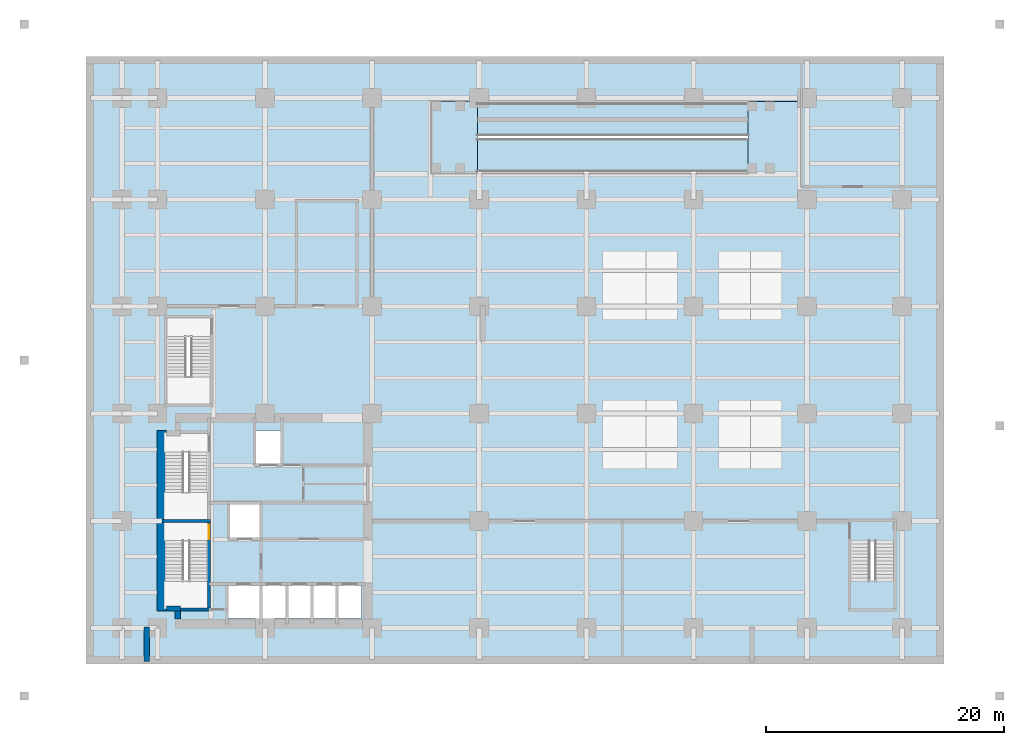
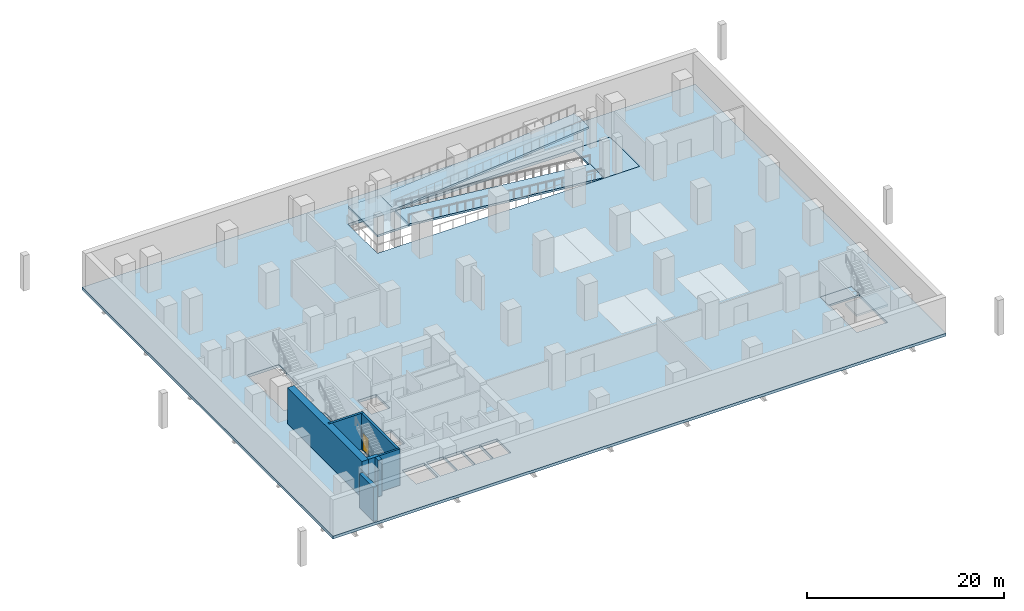
# One storey, part 4 of 10: 7 slabs, 7 walls, 1 door, 1 opening, 1 element without a shape of its own.
"""IFC4 building model written with IfcOpenShell, lengths in metres."""

from ifc_helpers import new_model, si_unit, direction, frame, frame_2d, origin, place, context, subcontext, project, spatial, polyline, rectangle, outline, extrude, material, layer, layer_set, type_object, element, fill, aggregate, save


model = new_model("IFC4")

# Units and contexts
model_context = context("Model", 3, precision=1e-05, world=origin(), true_north=direction((0.0, 1.0)))
body_context = subcontext(model_context, "Body", "Model", "MODEL_VIEW")
ifc_project = project(units=[si_unit("LENGTHUNIT", "METRE"), si_unit("AREAUNIT", "SQUARE_METRE"), si_unit("VOLUMEUNIT", "CUBIC_METRE"), si_unit("PLANEANGLEUNIT", "RADIAN"), si_unit("MASSUNIT", "GRAM", prefix="KILO")], contexts=[model_context])

# Site, building, storey
site_placement = place(None, origin())
site = spatial("IfcSite", under=ifc_project, at=site_placement, CompositionType="ELEMENT")
building_placement = place(site_placement, origin())
building = spatial("IfcBuilding", under=site, at=building_placement, Name="Mawjdan Bourse Tower", CompositionType="ELEMENT")
storey_placement = place(building_placement, frame((0.0, 0.0, -4.5)))
storey = spatial("IfcBuildingStorey", under=building, at=storey_placement, Name="B01", CompositionType="ELEMENT", Elevation=-4.5)

# Slabs
ifc_material_1 = material(Name="Reinforced Concrete C50/60", Category="concrete")
ifc_layer_1 = layer(ifc_material_1, 0.25)
ifc_layer_set_1 = layer_set([ifc_layer_1], Name="Reinforced Concrete C50/60")
slab_type_1 = type_object("IfcSlabType", Name="SL-BSM-250", PredefinedType="FLOOR", material=ifc_layer_set_1)
slab_1_placement = place(storey_placement, frame((55.64990234375, 41.300048828125, 0.0), z_axis=(0.097782840335, 0.0, 0.99520777536), x_axis=(-0.99520777536, 0.0, 0.097782840335)))
element("IfcSlab", 1, at=slab_1_placement, inside=storey, type_object=slab_type_1, Name="B01 Vehicle Ramp Flight 1", PredefinedType="FLOOR", context=body_context, shape_type="SweptSolid", body=[
    extrude(outline(polyline([(0.0, 0.0), (23.01017225822716, 0.0), (23.01017225822716, -2.8000488281250004), (0.0, -2.8000488281250004), (0.0, 0.0)])), origin(), (0.0, 0.0, -1.0), 0.25),
])
slab_2_placement = place(storey_placement, frame((32.75, 44.300048828125, 2.25), z_axis=(-0.097782840335, 0.0, 0.99520777536), x_axis=(0.99520777536, 0.0, 0.097782840335)))
element("IfcSlab", 2, at=slab_2_placement, inside=storey, type_object=slab_type_1, Name="B01 Vehicle Ramp Flight 2", PredefinedType="FLOOR", context=body_context, shape_type="SweptSolid", body=[
    extrude(outline(polyline([(0.0, 0.0), (23.01017225822716, 0.0), (23.01017225822716, 2.8000488281250004), (0.0, 2.8000488281250004), (0.0, 0.0)])), origin(), (0.0, 0.0, -1.0), 0.25),
])
ifc_material_2 = material(Name="Concrete C50/60", Category="concrete")
ifc_layer_2 = layer(ifc_material_2, 0.35009765625)
ifc_layer_set_2 = layer_set([ifc_layer_2], Name="Concrete C50/60")
slab_type_2 = type_object("IfcSlabType", Name="SL-BSM-350", PredefinedType="FLOOR", material=ifc_layer_set_2)
slab_3_placement = place(storey_placement, frame((0.0, 0.0, -0.35009765625)))
element("IfcSlab", 3, at=slab_3_placement, inside=storey, type_object=slab_type_2, Name="B01 Structural Floor Slab 1", PredefinedType="FLOOR", context=body_context, shape_type="SweptSolid", body=[
    extrude(outline(polyline([(0.0, 0.0), (72.0, 0.0), (72.0, 51.0), (0.0, 51.0), (0.0, 0.0)]), holes=[polyline([(11.949951171875, 3.800048828125), (11.949951171875, 6.60009765625), (14.550048828125, 6.60009765625), (14.550048828125, 3.800048828125), (11.949951171875, 3.800048828125)]), polyline([(6.60009765625, 10.31005859375), (6.5400390625, 10.31005859375), (6.5400390625, 11.969970703125), (10.260009765625, 11.969970703125), (10.260009765625, 10.31005859375), (10.199951171875, 10.31005859375), (10.199951171875, 4.64990234375), (6.60009765625, 4.64990234375), (6.60009765625, 10.31005859375)]), polyline([(12.050048828125, 10.60009765625), (12.050048828125, 13.39990234375), (14.550048828125, 13.39990234375), (14.550048828125, 10.60009765625), (12.050048828125, 10.60009765625)]), polyline([(10.260009765625, 19.409912109375), (10.260009765625, 17.75), (10.199951171875, 17.75), (10.199951171875, 12.090087890625), (6.60009765625, 12.090087890625), (6.60009765625, 17.75), (6.5400390625, 17.75), (6.5400390625, 19.409912109375), (10.260009765625, 19.409912109375)]), polyline([(10.4599609375, 29.1201171875), (10.4599609375, 27.4599609375), (10.39990234375, 27.4599609375), (10.39990234375, 21.800048828125), (6.800048828125, 21.800048828125), (6.800048828125, 27.4599609375), (6.739990234375, 27.4599609375), (6.739990234375, 29.1201171875), (10.4599609375, 29.1201171875)]), polyline([(14.800048828125, 3.800048828125), (14.800048828125, 6.60009765625), (16.800048828125, 6.60009765625), (16.800048828125, 3.800048828125), (14.800048828125, 3.800048828125)]), polyline([(16.89990234375, 3.800048828125), (16.89990234375, 6.60009765625), (18.89990234375, 6.60009765625), (18.89990234375, 3.800048828125), (16.89990234375, 3.800048828125)]), polyline([(19.0, 3.800048828125), (19.0, 6.60009765625), (21.0, 6.60009765625), (21.0, 3.800048828125), (19.0, 3.800048828125)]), polyline([(21.10009765625, 3.800048828125), (21.10009765625, 6.60009765625), (23.10009765625, 6.60009765625), (23.10009765625, 3.800048828125), (21.10009765625, 3.800048828125)]), polyline([(67.860107421875, 11.969970703125), (67.860107421875, 10.31005859375), (67.800048828125, 10.31005859375), (67.800048828125, 4.64990234375), (64.199951171875, 4.64990234375), (64.199951171875, 10.31005859375), (64.139892578125, 10.31005859375), (64.139892578125, 11.969970703125), (67.860107421875, 11.969970703125)]), polyline([(14.199951171875, 16.800048828125), (14.199951171875, 19.60009765625), (16.39990234375, 19.60009765625), (16.39990234375, 16.800048828125), (14.199951171875, 16.800048828125)]), polyline([(29.0, 41.199951171875), (29.0, 47.199951171875), (59.800048828125, 47.199951171875), (59.800048828125, 41.199951171875), (29.0, 41.199951171875)])]), origin(), (0.0, 0.0, 1.0), 0.35009765625),
])

# Stair, slabs
stair_type = type_object("IfcStairType", Name="STR-CORE-1500", PredefinedType="HALF_TURN_STAIR", material=ifc_material_2)
stair_placement = place(storey_placement, origin())
stair = element("IfcStair", 4, at=stair_placement, inside=storey, type_object=stair_type, Name="B01 Exit Stair 6 (East Podium Pier)", PredefinedType="HALF_TURN_STAIR")
ifc_layer_3 = layer(ifc_material_2, 0.22998046875)
ifc_layer_set_3 = layer_set([ifc_layer_3], Name="Concrete C50/60")
slab_type_3 = type_object("IfcSlabType", Name="SL-LND-230", PredefinedType="LANDING", material=ifc_layer_set_3)
slab_4_placement = place(storey_placement, frame((0.0, 0.0, -0.22998046875)))
slab_4 = element("IfcSlab", 5, at=slab_4_placement, type_object=slab_type_3, Name="ST6-B01 landing 1", PredefinedType="LANDING", context=body_context, shape_type="SweptSolid", body=[
    extrude(outline(polyline([(64.139892578125, 10.31005859375), (67.860107421875, 10.31005859375), (67.860107421875, 11.969970703125), (64.139892578125, 11.969970703125), (64.139892578125, 10.31005859375)])), origin(), (0.0, 0.0, 1.0), 0.22998046875),
])
slab_5_placement = place(storey_placement, frame((0.0, 0.0, 2.02001953125)))
slab_5 = element("IfcSlab", 6, at=slab_5_placement, type_object=slab_type_3, Name="ST6-B01 landing 2", PredefinedType="LANDING", context=body_context, shape_type="SweptSolid", body=[
    extrude(outline(polyline([(64.139892578125, 4.590087890625), (67.860107421875, 4.590087890625), (67.860107421875, 6.969970703125), (64.139892578125, 6.969970703125), (64.139892578125, 4.590087890625)])), origin(), (0.0, 0.0, 1.0), 0.22998046875),
])
aggregate(stair, [slab_4, slab_5])

# Slabs
slab_6_placement = place(storey_placement, frame((0.0, 0.0, -0.25)))
element("IfcSlab", 7, at=slab_6_placement, inside=storey, type_object=slab_type_3, Name="B01 Vehicle Ramp Arrival Apron", PredefinedType="LANDING", context=body_context, shape_type="SweptSolid", body=[
    extrude(outline(polyline([(55.550048828125, 41.199951171875), (59.800048828125, 41.199951171875), (59.800048828125, 47.199951171875), (55.550048828125, 47.199951171875), (55.550048828125, 41.199951171875)])), origin(), (0.0, 0.0, 1.0), 0.25),
])
slab_7_placement = place(storey_placement, frame((0.0, 0.0, 2.0)))
element("IfcSlab", 8, at=slab_7_placement, inside=storey, type_object=slab_type_3, Name="B01 Vehicle Ramp Half-Landing", PredefinedType="LANDING", context=body_context, shape_type="SweptSolid", body=[
    extrude(outline(polyline([(29.0, 41.199951171875), (32.85009765625, 41.199951171875), (32.85009765625, 47.199951171875), (29.0, 47.199951171875), (29.0, 41.199951171875)])), origin(), (0.0, 0.0, 1.0), 0.25),
])

# Walls
ifc_material_3 = material(Name="Concrete C60/75", Category="concrete")
ifc_layer_4 = layer(ifc_material_3, 0.449951171875)
ifc_layer_set_4 = layer_set([ifc_layer_4], Name="Concrete C60/75")
wall_type_1 = type_object("IfcWallType", Name="WL-CORE-450", PredefinedType="SHEAR", material=ifc_layer_set_4)
wall_1_placement = place(storey_placement, frame((6.75, 4.64990234375, 0.0), z_axis=(0.0, 0.0, 1.0), x_axis=(1.0, 0.0, 0.0)))
element("IfcWall", 9, at=wall_1_placement, inside=storey, type_object=wall_type_1, Name="B01 Rear Core Shear Wall SW-X", PredefinedType="SHEAR", context=body_context, shape_type="SweptSolid", body=[
    extrude(rectangle(XDim=1.175048828125, YDim=0.449951171875, at=frame_2d((0.58740234375, 0.0))), origin(), (0.0, 0.0, 1.0), 4.5),
])
wall_2_placement = place(storey_placement, frame((7.699951171875, 3.75, 0.0), z_axis=(0.0, 0.0, 1.0), x_axis=(0.0, 1.0, 0.0)))
element("IfcWall", 10, at=wall_2_placement, inside=storey, type_object=wall_type_1, Name="B01 Rear Core Shear Wall SW-Y", PredefinedType="SHEAR", context=body_context, shape_type="SweptSolid", body=[
    extrude(rectangle(XDim=0.675048828125, YDim=0.449951171875, at=frame_2d((0.33740234375, 0.0))), origin(), (0.0, 0.0, 1.0), 4.5),
])
wall_3_placement = place(storey_placement, frame((5.10009765625, 0.199951171875, 0.0), z_axis=(0.0, 0.0, 1.0), x_axis=(0.0, 1.0, 0.0)))
element("IfcWall", 11, at=wall_3_placement, inside=storey, type_object=wall_type_1, Name="B01 South-West Boulevard Step-Free Ramp Support Wall", PredefinedType="SHEAR", context=body_context, shape_type="SweptSolid", body=[
    extrude(rectangle(XDim=2.880126953125, YDim=0.449951171875, at=frame_2d((1.43994140625, 0.0))), origin(), (0.0, 0.0, 1.0), 4.219970703125),
])
ifc_material_4 = material(Name="Concrete C80/95", Category="concrete")
ifc_layer_5 = layer(ifc_material_4, 0.800048828125)
ifc_layer_set_5 = layer_set([ifc_layer_5], Name="Concrete C80/95")
wall_type_2 = type_object("IfcWallType", Name="WL-CORE-800", PredefinedType="SHEAR", material=ifc_layer_set_5)
wall_4_placement = place(storey_placement, frame((6.35009765625, 4.425048828125, 0.0), z_axis=(0.0, 0.0, 1.0), x_axis=(0.0, 1.0, 0.0)))
element("IfcWall", 12, at=wall_4_placement, inside=storey, type_object=wall_type_2, Name="B01 Rear Core Shear Wall W", PredefinedType="SHEAR", context=body_context, shape_type="SweptSolid", body=[
    extrude(rectangle(XDim=15.14990234375, YDim=0.800048828125, at=frame_2d((7.574951171875, 0.0))), origin(), (0.0, 0.0, 1.0), 4.5),
])
ifc_layer_6 = layer(ifc_material_2, 0.25)
ifc_layer_set_6 = layer_set([ifc_layer_6], Name="Concrete C50/60")
wall_type_3 = type_object("IfcWallType", Name="WL-STRW-250", PredefinedType="SHEAR", material=ifc_layer_set_6)
wall_5_placement = place(storey_placement, frame((6.35009765625, 12.0, 0.0), z_axis=(0.0, 0.0, 1.0), x_axis=(1.0, 0.0, 0.0)))
element("IfcWall", 13, at=wall_5_placement, inside=storey, type_object=wall_type_3, Name="B01 Stairwell Dividing Shaft Wall", PredefinedType="SHEAR", context=body_context, shape_type="SweptSolid", body=[
    extrude(rectangle(XDim=4.10498046875, YDim=0.25, at=frame_2d((2.052490234375, 0.0))), origin(), (0.0, 0.0, 1.0), 4.5),
])
wall_6_placement = place(storey_placement, frame((7.699951171875, 4.550048828125, 0.0), z_axis=(0.0, 0.0, 1.0), x_axis=(1.0, 0.0, 0.0)))
element("IfcWall", 14, at=wall_6_placement, inside=storey, type_object=wall_type_3, Name="B01 Stairwell ST1 South Shaft Wall", PredefinedType="SHEAR", context=body_context, shape_type="SweptSolid", body=[
    extrude(rectangle(XDim=2.755126953125, YDim=0.25, at=frame_2d((1.37744140625, 0.0))), origin(), (0.0, 0.0, 1.0), 4.5),
])

# Wall, opening, door
wall_7_placement = place(storey_placement, frame((10.330078125, 4.550048828125, 0.0), z_axis=(0.0, 0.0, 1.0), x_axis=(0.0, 1.0, 0.0)))
wall_7 = element("IfcWall", 15, at=wall_7_placement, inside=storey, type_object=wall_type_3, Name="B01 Stairwell ST1 East Enclosure Wall", PredefinedType="SHEAR", context=body_context, shape_type="SweptSolid", body=[
    extrude(rectangle(XDim=7.449951171875, YDim=0.25, at=frame_2d((3.72509765625, 0.0))), origin(), (0.0, 0.0, 1.0), 4.5),
])
opening_placement = place(wall_7_placement, frame((5.89990234375, 0.0, 0.0)))
opening = element("IfcOpeningElement", 16, at=opening_placement, cuts=wall_7, Name="Opening SD-B01-01", PredefinedType="OPENING", context=body_context, shape_type="SweptSolid", body=[
    extrude(rectangle(XDim=1.25, YDim=2.199951171875, at=frame_2d((0.625, 1.10009765625))), frame((0.0, 0.135009765625, 0.0), z_axis=(0.0, -1.0, 0.0), x_axis=(1.0, 0.0, 0.0)), (0.0, 0.0, 1.0), 0.27001953125),
])
ifc_material_5 = material(Name="Fire-Rated Steel Leaf", Category="steel")
door_type = type_object("IfcDoorType", Name="FD-ST-1250", OperationType="NOTDEFINED", PredefinedType="DOOR", material=ifc_material_5)
door_placement = place(opening_placement, origin())
door = element("IfcDoor", 17, at=door_placement, inside=storey, type_object=door_type, Name="B01 Exit Stair ST1 Fire Door SD-B01-01", OperationType="SINGLE_SWING_RIGHT", OverallHeight=2.199951171875, OverallWidth=1.25, PredefinedType="DOOR", context=body_context, shape_type="SweptSolid", body=[
    extrude(rectangle(XDim=1.25, YDim=2.199951171875, at=frame_2d((0.625, 1.10009765625))), frame((0.0, 0.02490234375, 0.0), z_axis=(0.0, -1.0, 0.0), x_axis=(1.0, 0.0, 0.0)), (0.0, 0.0, 1.0), 0.050048828125),
])
fill(opening, door)

save(model, "model.ifc")
